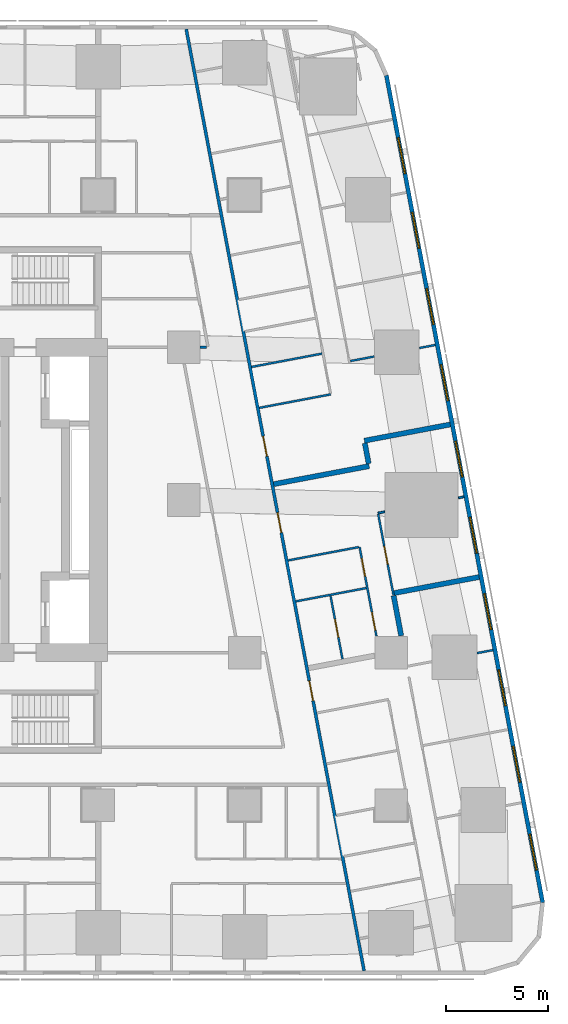
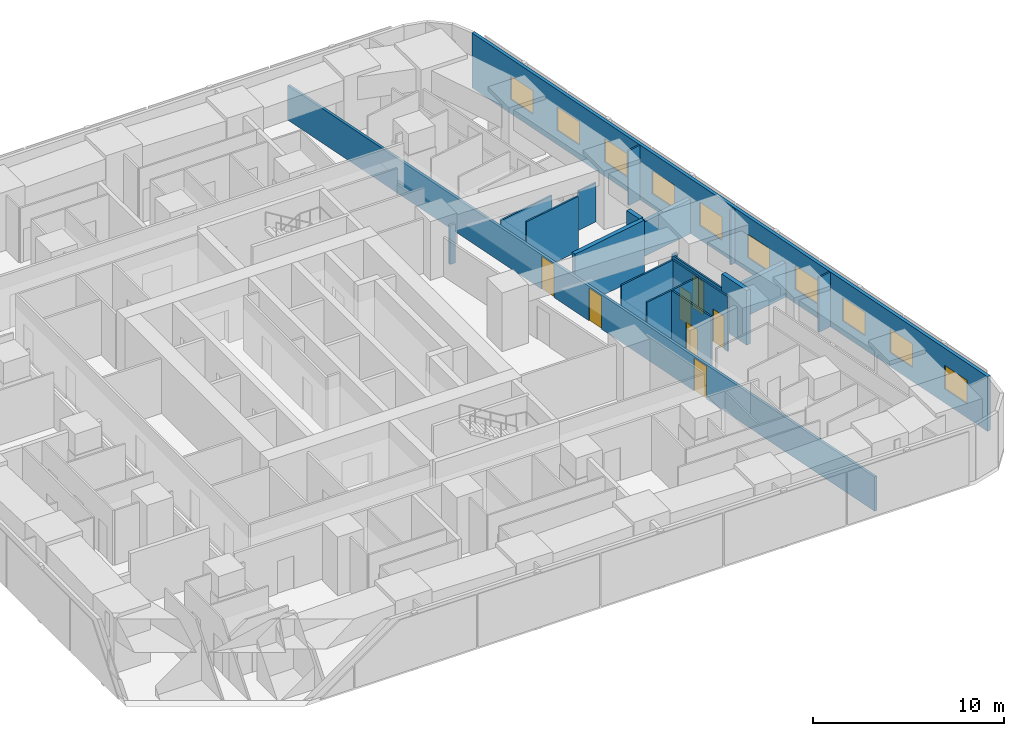
# One storey, part 8 of 17: 20 walls, 10 windows, 7 doors, 17 openings.
"""IFC4 building model written with IfcOpenShell, lengths in metres."""

import ifcopenshell
import ifcopenshell.guid

model = None  # the IFC model being written
_history = None  # IfcOwnerHistory: only IFC2X3 demands one
_inside = {}  # id of a spatial element -> (the spatial element, [elements in it])
_under = {}  # id of a project, library or spatial element -> (it, [spatial elements below it])
_declared = {}  # id of a project -> (the project, [libraries it declares])
_typed = {}  # id of a type object -> (the type object, [elements of that type])
_made_of = {}  # id of a material, layer set ... -> (it, [elements and type objects made of it])


def new_model(schema):
    """Start an empty IFC model of exactly this schema.

    Asked for "IFC4X3", IfcOpenShell would pick the latest addendum, in which some entities
    have other attributes; the version numbers below select the first issue.
    IFC2X3 requires an IfcOwnerHistory on every rooted entity: one is made here for all.
    """
    global model, _history
    if schema == "IFC4X3":
        model = ifcopenshell.file(schema_version=(4, 3, 0, 0))
    else:
        model = ifcopenshell.file(schema=schema)
    _inside.clear()
    _under.clear()
    _declared.clear()
    _typed.clear()
    _made_of.clear()
    _history = None
    if model.schema == "IFC2X3":
        org = make("IfcOrganization", Name="unknown")
        user = make(
            "IfcPersonAndOrganization",
            ThePerson=make("IfcPerson", FamilyName="unknown"),
            TheOrganization=org,
        )
        app = make(
            "IfcApplication",
            ApplicationDeveloper=org,
            Version="unknown",
            ApplicationFullName="unknown",
            ApplicationIdentifier="unknown",
        )
        _history = make(
            "IfcOwnerHistory",
            OwningUser=user,
            OwningApplication=app,
            ChangeAction="ADDED",
            CreationDate=0,
        )
    return model


def make(cls, **values):
    """One entity of the class cls with the attributes given. An attribute that is None is left unset."""
    return model.create_entity(
        cls, **{name: value for name, value in values.items() if value is not None}
    )


def rooted(cls, **values):
    """An entity with a GlobalId (a new one), such as an element, a storey or a relation."""
    return make(cls, GlobalId=ifcopenshell.guid.new(), OwnerHistory=_history, **values)


def si_unit(unit_type, name, prefix=None):
    """IfcSIUnit, for example si_unit("LENGTHUNIT", "METRE", prefix="MILLI")."""
    return make("IfcSIUnit", UnitType=unit_type, Prefix=prefix, Name=name)


def assignment(units):
    """IfcUnitAssignment: the units of a project."""
    return None if units is None else make("IfcUnitAssignment", Units=units)


def point(xyz):
    """IfcCartesianPoint."""
    return None if xyz is None else make("IfcCartesianPoint", Coordinates=xyz)


def direction(xyz):
    """IfcDirection."""
    return None if xyz is None else make("IfcDirection", DirectionRatios=xyz)


def frame(location, z_axis=None, x_axis=None):
    """IfcAxis2Placement3D, a coordinate frame: its origin and axes. An axis left out is left unset."""
    return make(
        "IfcAxis2Placement3D",
        Location=point(location),
        Axis=direction(z_axis),
        RefDirection=direction(x_axis),
    )


def frame_2d(location, x_axis=None):
    """IfcAxis2Placement2D, a coordinate frame in the plane: its origin and x axis."""
    return make(
        "IfcAxis2Placement2D", Location=point(location), RefDirection=direction(x_axis)
    )


def origin():
    """The frame at (0, 0, 0) with its axes left unset."""
    return frame((0.0, 0.0, 0.0))


def place(relative_to, where):
    """IfcLocalPlacement: puts the frame where relative to a parent placement (None: the world)."""
    return make(
        "IfcLocalPlacement", PlacementRelTo=relative_to, RelativePlacement=where
    )


def context(
    kind, dimensions, precision=None, world=None, true_north=None, identifier=None
):
    """IfcGeometricRepresentationContext, for example the 3D "Model" context."""
    return make(
        "IfcGeometricRepresentationContext",
        ContextIdentifier=identifier,
        ContextType=kind,
        CoordinateSpaceDimension=dimensions,
        Precision=precision,
        WorldCoordinateSystem=world,
        TrueNorth=true_north,
    )


def subcontext(parent, identifier, kind, view, scale=None):
    """IfcGeometricRepresentationSubContext, for example "Body" below "Model"."""
    return make(
        "IfcGeometricRepresentationSubContext",
        ContextIdentifier=identifier,
        ContextType=kind,
        ParentContext=parent,
        TargetScale=scale,
        TargetView=view,
    )


def project(units=None, contexts=None):
    """IfcProject with its units and contexts."""
    return rooted(
        "IfcProject",
        Name="project",
        RepresentationContexts=contexts,
        UnitsInContext=assignment(units),
    )


def spatial(cls, under=None, at=None, **own):
    """A site, building, storey or space (cls), placed at a placement, below another one or the project."""
    s = rooted(cls, ObjectPlacement=at, **own)
    if under is not None:
        _under.setdefault(under.id(), (under, []))[1].append(s)
    return s


def profile(cls, at=None, kind="AREA", **sizes):
    """A parametric profile (cls). Its sizes go by their IFC names, for example OverallWidth=200.0."""
    return make(cls, ProfileType=kind, Position=at, **sizes)


def rectangle(**sizes):
    """IfcRectangleProfileDef."""
    return profile("IfcRectangleProfileDef", **sizes)


def extrude(swept, where, along, depth):
    """IfcExtrudedAreaSolid: the profile swept, set in the frame where, extruded along a direction by depth."""
    return make(
        "IfcExtrudedAreaSolid",
        SweptArea=swept,
        Position=where,
        ExtrudedDirection=direction(along),
        Depth=depth,
    )


def shape(context_of_items, identifier, shape_type, items):
    """IfcShapeRepresentation: the items that make up one representation, for example the "Body"."""
    return make(
        "IfcShapeRepresentation",
        ContextOfItems=context_of_items,
        RepresentationIdentifier=identifier,
        RepresentationType=shape_type,
        Items=items,
    )


def material(Name=None, Category=None):
    """IfcMaterial."""
    return make("IfcMaterial", Name=Name, Category=Category)


def layer(
    of_material, thickness, ventilated=None, Name=None, Category=None, Priority=None
):
    """IfcMaterialLayer: one layer of a wall or slab, of a material (None: an air gap)."""
    return make(
        "IfcMaterialLayer",
        Material=of_material,
        LayerThickness=thickness,
        IsVentilated=ventilated,
        Name=Name,
        Category=Category,
        Priority=Priority,
    )


def layer_set(layers, Name=None):
    """IfcMaterialLayerSet."""
    return make("IfcMaterialLayerSet", MaterialLayers=layers, LayerSetName=Name)


def made_of(thing, what):
    """Note that an element or type object is made of a material, layer set ...; save() writes the relation."""
    if what is not None:
        _made_of.setdefault(what.id(), (what, []))[1].append(thing)
    return thing


def type_object(cls, material=None, **own):
    """A type object (cls), such as IfcWallType, which elements share."""
    return made_of(rooted(cls, **own), material)


def element(
    cls,
    number,
    at=None,
    inside=None,
    cuts=None,
    type_object=None,
    material=None,
    context=None,
    identifier="Body",
    shape_type=None,
    held_by="IfcProductDefinitionShape",
    body=None,
    shapes=None,
    **own,
):
    """One element of the class cls, such as IfcWall. Its Tag is "e" and its number.

    at: its placement. inside: the storey or other place that contains it. cuts: it is an
    opening in that element (IfcRelVoidsElement). A single representation is given by context,
    identifier, shape_type and body (its items); several are given by shapes. held_by: the class
    of the entity that holds the representations. save() writes the other relations.
    """
    e = rooted(cls, Tag="e%d" % number, ObjectPlacement=at, **own)
    if body is not None:
        shapes = [shape(context, identifier, shape_type, body)]
    if shapes is not None:
        e.Representation = make(held_by, Representations=shapes)
    if inside is not None:
        _inside.setdefault(inside.id(), (inside, []))[1].append(e)
    if cuts is not None:
        rooted(
            "IfcRelVoidsElement", RelatingBuildingElement=cuts, RelatedOpeningElement=e
        )
    if type_object is not None:
        _typed.setdefault(type_object.id(), (type_object, []))[1].append(e)
    return made_of(e, material)


def fill(opening, filler):
    """IfcRelFillsElement: the door or window that sits in an opening."""
    return rooted(
        "IfcRelFillsElement",
        RelatingOpeningElement=opening,
        RelatedBuildingElement=filler,
    )


def aggregate(whole, parts):
    """IfcRelAggregates: a whole, such as a stair, and the parts it consists of."""
    return rooted("IfcRelAggregates", RelatingObject=whole, RelatedObjects=parts)


def save(model, path):
    """Write the relations noted so far, then the file.

    IfcRelAggregates (storeys below a building ...), IfcRelContainedInSpatialStructure (elements
    in a storey), IfcRelDefinesByType, IfcRelAssociatesMaterial and IfcRelDeclares: one each for
    every whole, place, type object, material and project.
    """
    for whole, parts in _under.values():
        aggregate(whole, parts)
    for where, things in _inside.values():
        rooted(
            "IfcRelContainedInSpatialStructure",
            RelatedElements=things,
            RelatingStructure=where,
        )
    for kind, things in _typed.values():
        rooted("IfcRelDefinesByType", RelatedObjects=things, RelatingType=kind)
    for what, things in _made_of.values():
        rooted("IfcRelAssociatesMaterial", RelatedObjects=things, RelatingMaterial=what)
    for by, libraries in _declared.values():
        rooted("IfcRelDeclares", RelatingContext=by, RelatedDefinitions=libraries)
    model.write(path)


model = new_model("IFC4")

# Units and contexts
model_context = context("Model", 3, precision=1e-05, world=origin(), true_north=direction((0.0, 1.0)))
body_context = subcontext(model_context, "Body", "Model", "MODEL_VIEW")
ifc_project = project(units=[si_unit("LENGTHUNIT", "METRE"), si_unit("AREAUNIT", "SQUARE_METRE"), si_unit("VOLUMEUNIT", "CUBIC_METRE"), si_unit("PLANEANGLEUNIT", "RADIAN"), si_unit("MASSUNIT", "GRAM", prefix="KILO")], contexts=[model_context])

# Site, building, storey
site_placement = place(None, origin())
site = spatial("IfcSite", under=ifc_project, at=site_placement, CompositionType="ELEMENT")
building_placement = place(site_placement, origin())
building = spatial("IfcBuilding", under=site, at=building_placement, Name="Sheger Commons Tower", CompositionType="ELEMENT")
storey_placement = place(building_placement, frame((0.0, 0.0, 115.39990234375)))
storey = spatial("IfcBuildingStorey", under=building, at=storey_placement, Name="L29", CompositionType="ELEMENT", Elevation=115.39990234375)

# Wall, openings, doors
ifc_material_1 = material(Name="Hollow concrete block masonry, skimmed both sides", Category="masonry")
ifc_layer_1 = layer(ifc_material_1, 0.14990234375)
ifc_layer_set_1 = layer_set([ifc_layer_1], Name="CORRIDOR WALL 150")
wall_type_1 = type_object("IfcWallType", Name="CORRIDOR WALL 150", PredefinedType="SOLIDWALL", material=ifc_layer_set_1)
wall_1_placement = place(storey_placement, frame((33.126953125, 45.64990234375, 0.0), z_axis=(0.0, 0.0, 1.0), x_axis=(0.185598547723, -0.98262565562, 0.0)))
wall_1 = element("IfcWall", 1, at=wall_1_placement, inside=storey, type_object=wall_type_1, Name="Corridor wall L29", PredefinedType="SOLIDWALL", context=body_context, shape_type="SweptSolid", body=[
    extrude(rectangle(XDim=47.118408203125, YDim=0.14990234375, at=frame_2d((23.55908203125, 0.0))), origin(), (0.0, 0.0, 1.0), 2.2001953125),
])
opening_1_placement = place(wall_1_placement, frame((20.373046875, 0.0, 0.0)))
opening_1 = element("IfcOpeningElement", 2, at=opening_1_placement, cuts=wall_1, Name="Opening D1", PredefinedType="OPENING", context=body_context, shape_type="SweptSolid", body=[
    extrude(rectangle(XDim=1.0, YDim=2.10009765625, at=frame_2d((0.5, 1.050048828125))), frame((0.0, 0.0849609375, 0.0), z_axis=(0.0, -1.0, 0.0), x_axis=(1.0, 0.0, 0.0)), (0.0, 0.0, 1.0), 0.169921875),
])
opening_2_placement = place(wall_1_placement, frame((24.18798828125, 0.0, 0.0)))
opening_2 = element("IfcOpeningElement", 3, at=opening_2_placement, cuts=wall_1, Name="Opening D1", PredefinedType="OPENING", context=body_context, shape_type="SweptSolid", body=[
    extrude(rectangle(XDim=1.0, YDim=2.10009765625, at=frame_2d((0.5, 1.050048828125))), frame((0.0, 0.0849609375, 0.0), z_axis=(0.0, -1.0, 0.0), x_axis=(1.0, 0.0, 0.0)), (0.0, 0.0, 1.0), 0.169921875),
])
opening_3_placement = place(wall_1_placement, frame((32.60791015625, 0.0, 0.0)))
opening_3 = element("IfcOpeningElement", 4, at=opening_3_placement, cuts=wall_1, Name="Opening D1", PredefinedType="OPENING", context=body_context, shape_type="SweptSolid", body=[
    extrude(rectangle(XDim=1.0, YDim=2.10009765625, at=frame_2d((0.5, 1.050048828125))), frame((0.0, 0.0849609375, 0.0), z_axis=(0.0, -1.0, 0.0), x_axis=(1.0, 0.0, 0.0)), (0.0, 0.0, 1.0), 0.169921875),
])
ifc_material_2 = material(Name="Steel door set, fire rated", Category="steel")
door_type_1 = type_object("IfcDoorType", Name="FLAT ENTRANCE DOOR 1000x2100", OperationType="NOTDEFINED", PredefinedType="DOOR", material=ifc_material_2)
door_1_placement = place(opening_1_placement, origin())
door_1 = element("IfcDoor", 5, at=door_1_placement, inside=storey, type_object=door_type_1, Name="Flat entrance door", OperationType="SINGLE_SWING_RIGHT", OverallHeight=2.10009765625, OverallWidth=1.0, PredefinedType="DOOR", context=body_context, shape_type="SweptSolid", body=[
    extrude(rectangle(XDim=1.0, YDim=2.10009765625, at=frame_2d((0.5, 1.050048828125))), frame((0.0, 0.02490234375, 0.0), z_axis=(0.0, -1.0, 0.0), x_axis=(1.0, 0.0, 0.0)), (0.0, 0.0, 1.0), 0.050048828125),
])
fill(opening_1, door_1)
door_2_placement = place(opening_2_placement, origin())
door_2 = element("IfcDoor", 6, at=door_2_placement, inside=storey, type_object=door_type_1, Name="Flat entrance door", OperationType="SINGLE_SWING_LEFT", OverallHeight=2.10009765625, OverallWidth=1.0, PredefinedType="DOOR", context=body_context, shape_type="SweptSolid", body=[
    extrude(rectangle(XDim=1.0, YDim=2.10009765625, at=frame_2d((0.5, 1.050048828125))), frame((0.0, 0.02490234375, 0.0), z_axis=(0.0, -1.0, 0.0), x_axis=(1.0, 0.0, 0.0)), (0.0, 0.0, 1.0), 0.050048828125),
])
fill(opening_2, door_2)
door_3_placement = place(opening_3_placement, origin())
door_3 = element("IfcDoor", 7, at=door_3_placement, inside=storey, type_object=door_type_1, Name="Flat entrance door", OperationType="SINGLE_SWING_RIGHT", OverallHeight=2.10009765625, OverallWidth=1.0, PredefinedType="DOOR", context=body_context, shape_type="SweptSolid", body=[
    extrude(rectangle(XDim=1.0, YDim=2.10009765625, at=frame_2d((0.5, 1.050048828125))), frame((0.0, 0.02490234375, 0.0), z_axis=(0.0, -1.0, 0.0), x_axis=(1.0, 0.0, 0.0)), (0.0, 0.0, 1.0), 0.050048828125),
])
fill(opening_3, door_3)

# Walls
ifc_material_3 = material(Name="Dense concrete block masonry, plastered both sides (separating wall between flats)", Category="masonry")
ifc_layer_2 = layer(ifc_material_3, 0.25)
ifc_layer_set_2 = layer_set([ifc_layer_2], Name="DEMISING WALL 250")
wall_type_2 = type_object("IfcWallType", Name="DEMISING WALL 250", PredefinedType="SOLIDWALL", material=ifc_layer_set_2)
wall_2_placement = place(storey_placement, frame((46.110107421875, 26.212890625, 0.0), z_axis=(0.0, 0.0, 1.0), x_axis=(-0.982633535512, -0.185556823879, 0.0)))
element("IfcWall", 8, at=wall_2_placement, inside=storey, type_object=wall_type_2, Name="Demising wall L29", PredefinedType="SOLIDWALL", context=body_context, shape_type="SweptSolid", body=[
    extrude(rectangle(XDim=4.2998046875, YDim=0.25, at=frame_2d((2.14990234375, 0.0))), origin(), (0.0, 0.0, 1.0), 2.2001953125),
])
wall_3_placement = place(storey_placement, frame((42.12109375, 24.166015625, 0.0), z_axis=(0.0, 0.0, 1.0), x_axis=(-0.98259850169, -0.185742252804, 0.0)))
element("IfcWall", 9, at=wall_3_placement, inside=storey, type_object=wall_type_2, Name="Demising wall L29", PredefinedType="SOLIDWALL", context=body_context, shape_type="SweptSolid", body=[
    extrude(rectangle(XDim=4.775146484375, YDim=0.25, at=frame_2d((2.3876953125, 0.0))), origin(), (0.0, 0.0, 1.0), 3.5),
])
wall_4_placement = place(storey_placement, frame((41.907958984375, 25.2919921875, 0.0), z_axis=(0.0, 0.0, 1.0), x_axis=(0.18607888991, -0.982534806879, 0.0)))
element("IfcWall", 10, at=wall_4_placement, inside=storey, type_object=wall_type_2, Name="Demising wall L29", PredefinedType="SOLIDWALL", context=body_context, shape_type="SweptSolid", body=[
    extrude(rectangle(XDim=1.020751953125, YDim=0.25, at=frame_2d((0.51025390625, 0.0))), origin(), (0.0, 0.0, 1.0), 3.5),
])
wall_5_placement = place(storey_placement, frame((47.527099609375, 18.7119140625, 0.0), z_axis=(0.0, 0.0, 1.0), x_axis=(-0.982665405803, -0.185387972203, 0.0)))
element("IfcWall", 11, at=wall_5_placement, inside=storey, type_object=wall_type_2, Name="Demising wall L29", PredefinedType="SOLIDWALL", context=body_context, shape_type="SweptSolid", body=[
    extrude(rectangle(XDim=4.249755859375, YDim=0.25, at=frame_2d((2.125, 0.0))), origin(), (0.0, 0.0, 1.0), 2.2001953125),
])
wall_6_placement = place(storey_placement, frame((43.324951171875, 17.7919921875, 0.0), z_axis=(0.0, 0.0, 1.0), x_axis=(0.185296805985, -0.982682600686, 0.0)))
element("IfcWall", 12, at=wall_6_placement, inside=storey, type_object=wall_type_2, Name="Demising wall L29", PredefinedType="SOLIDWALL", context=body_context, shape_type="SweptSolid", body=[
    extrude(rectangle(XDim=2.002685546875, YDim=0.25, at=frame_2d((1.00146484375, 0.0))), origin(), (0.0, 0.0, 1.0), 3.5),
])

# Wall, openings, windows
ifc_material_4 = material(Name="Rendered concrete block masonry, dark grey", Category="masonry")
ifc_layer_3 = layer(ifc_material_4, 0.199951171875)
ifc_layer_set_3 = layer_set([ifc_layer_3], Name="FACADE WALL 200")
wall_type_3 = type_object("IfcWallType", Name="FACADE WALL 200", PredefinedType="SOLIDWALL", material=ifc_layer_set_3)
wall_7_placement = place(storey_placement, frame((50.653076171875, 2.702880859375, 0.0), z_axis=(0.0, 0.0, 1.0), x_axis=(-0.185612026696, 0.982623109613, 0.0)))
wall_7 = element("IfcWall", 13, at=wall_7_placement, inside=storey, type_object=wall_type_3, Name="Facade wall L29", PredefinedType="SOLIDWALL", context=body_context, shape_type="SweptSolid", body=[
    extrude(rectangle(XDim=41.393310546875, YDim=0.199951171875, at=frame_2d((20.69677734375, 0.0))), origin(), (0.0, 0.0, 1.0), 3.5),
])
opening_4_placement = place(wall_7_placement, frame((1.633056640625, 0.0, 0.89990234375)))
opening_4 = element("IfcOpeningElement", 14, at=opening_4_placement, cuts=wall_7, Name="Opening W2", PredefinedType="OPENING", context=body_context, shape_type="SweptSolid", body=[
    extrude(rectangle(XDim=1.800048828125, YDim=1.5, at=frame_2d((0.89990234375, 0.75))), frame((0.0, 0.10986328125, 0.0), z_axis=(0.0, -1.0, 0.0), x_axis=(1.0, 0.0, 0.0)), (0.0, 0.0, 1.0), 0.219970703125),
])
opening_5_placement = place(wall_7_placement, frame((6.031982421875, 0.0, 0.89990234375)))
opening_5 = element("IfcOpeningElement", 15, at=opening_5_placement, cuts=wall_7, Name="Opening W2", PredefinedType="OPENING", context=body_context, shape_type="SweptSolid", body=[
    extrude(rectangle(XDim=1.800048828125, YDim=1.5, at=frame_2d((0.89990234375, 0.75))), frame((0.0, 0.10986328125, 0.0), z_axis=(0.0, -1.0, 0.0), x_axis=(1.0, 0.0, 0.0)), (0.0, 0.0, 1.0), 0.219970703125),
])
opening_6_placement = place(wall_7_placement, frame((9.847900390625, 0.0, 0.89990234375)))
opening_6 = element("IfcOpeningElement", 16, at=opening_6_placement, cuts=wall_7, Name="Opening W2", PredefinedType="OPENING", context=body_context, shape_type="SweptSolid", body=[
    extrude(rectangle(XDim=1.800048828125, YDim=1.5, at=frame_2d((0.89990234375, 0.75))), frame((0.0, 0.10986328125, 0.0), z_axis=(0.0, -1.0, 0.0), x_axis=(1.0, 0.0, 0.0)), (0.0, 0.0, 1.0), 0.219970703125),
])
opening_7_placement = place(wall_7_placement, frame((13.6640625, 0.0, 0.89990234375)))
opening_7 = element("IfcOpeningElement", 17, at=opening_7_placement, cuts=wall_7, Name="Opening W2", PredefinedType="OPENING", context=body_context, shape_type="SweptSolid", body=[
    extrude(rectangle(XDim=1.800048828125, YDim=1.5, at=frame_2d((0.89990234375, 0.75))), frame((0.0, 0.10986328125, 0.0), z_axis=(0.0, -1.0, 0.0), x_axis=(1.0, 0.0, 0.0)), (0.0, 0.0, 1.0), 0.219970703125),
])
opening_8_placement = place(wall_7_placement, frame((17.48095703125, 0.0, 0.89990234375)))
opening_8 = element("IfcOpeningElement", 18, at=opening_8_placement, cuts=wall_7, Name="Opening W2", PredefinedType="OPENING", context=body_context, shape_type="SweptSolid", body=[
    extrude(rectangle(XDim=1.800048828125, YDim=1.5, at=frame_2d((0.89990234375, 0.75))), frame((0.0, 0.10986328125, 0.0), z_axis=(0.0, -1.0, 0.0), x_axis=(1.0, 0.0, 0.0)), (0.0, 0.0, 1.0), 0.219970703125),
])
opening_9_placement = place(wall_7_placement, frame((21.297119140625, 0.0, 0.89990234375)))
opening_9 = element("IfcOpeningElement", 19, at=opening_9_placement, cuts=wall_7, Name="Opening W2", PredefinedType="OPENING", context=body_context, shape_type="SweptSolid", body=[
    extrude(rectangle(XDim=1.800048828125, YDim=1.5, at=frame_2d((0.89990234375, 0.75))), frame((0.0, 0.10986328125, 0.0), z_axis=(0.0, -1.0, 0.0), x_axis=(1.0, 0.0, 0.0)), (0.0, 0.0, 1.0), 0.219970703125),
])
opening_10_placement = place(wall_7_placement, frame((25.113037109375, 0.0, 0.89990234375)))
opening_10 = element("IfcOpeningElement", 20, at=opening_10_placement, cuts=wall_7, Name="Opening W2", PredefinedType="OPENING", context=body_context, shape_type="SweptSolid", body=[
    extrude(rectangle(XDim=1.800048828125, YDim=1.5, at=frame_2d((0.89990234375, 0.75))), frame((0.0, 0.10986328125, 0.0), z_axis=(0.0, -1.0, 0.0), x_axis=(1.0, 0.0, 0.0)), (0.0, 0.0, 1.0), 0.219970703125),
])
opening_11_placement = place(wall_7_placement, frame((28.929931640625, 0.0, 0.89990234375)))
opening_11 = element("IfcOpeningElement", 21, at=opening_11_placement, cuts=wall_7, Name="Opening W2", PredefinedType="OPENING", context=body_context, shape_type="SweptSolid", body=[
    extrude(rectangle(XDim=1.800048828125, YDim=1.5, at=frame_2d((0.89990234375, 0.75))), frame((0.0, 0.10986328125, 0.0), z_axis=(0.0, -1.0, 0.0), x_axis=(1.0, 0.0, 0.0)), (0.0, 0.0, 1.0), 0.219970703125),
])
opening_12_placement = place(wall_7_placement, frame((32.74609375, 0.0, 0.89990234375)))
opening_12 = element("IfcOpeningElement", 22, at=opening_12_placement, cuts=wall_7, Name="Opening W2", PredefinedType="OPENING", context=body_context, shape_type="SweptSolid", body=[
    extrude(rectangle(XDim=1.800048828125, YDim=1.5, at=frame_2d((0.89990234375, 0.75))), frame((0.0, 0.10986328125, 0.0), z_axis=(0.0, -1.0, 0.0), x_axis=(1.0, 0.0, 0.0)), (0.0, 0.0, 1.0), 0.219970703125),
])
opening_13_placement = place(wall_7_placement, frame((36.48095703125, 0.0, 0.89990234375)))
opening_13 = element("IfcOpeningElement", 23, at=opening_13_placement, cuts=wall_7, Name="Opening W2", PredefinedType="OPENING", context=body_context, shape_type="SweptSolid", body=[
    extrude(rectangle(XDim=1.800048828125, YDim=1.5, at=frame_2d((0.89990234375, 0.75))), frame((0.0, 0.10986328125, 0.0), z_axis=(0.0, -1.0, 0.0), x_axis=(1.0, 0.0, 0.0)), (0.0, 0.0, 1.0), 0.219970703125),
])
ifc_material_5 = material(Name="Black aluminium frame, dark tinted double glazing", Category="aluminium")
window_type = type_object("IfcWindowType", Name="WINDOW W2 1800x1500", PartitioningType="SINGLE_PANEL", PredefinedType="WINDOW", material=ifc_material_5)
window_1_placement = place(opening_4_placement, origin())
window_1 = element("IfcWindow", 24, at=window_1_placement, inside=storey, type_object=window_type, Name="Window W2 1800X1500", OverallHeight=1.5, OverallWidth=1.800048828125, PartitioningType="SINGLE_PANEL", PredefinedType="WINDOW", context=body_context, shape_type="SweptSolid", body=[
    extrude(rectangle(XDim=1.800048828125, YDim=1.5, at=frame_2d((0.89990234375, 0.75))), frame((0.0, 0.030029296875, 0.0), z_axis=(0.0, -1.0, 0.0), x_axis=(1.0, 0.0, 0.0)), (0.0, 0.0, 1.0), 0.06005859375),
])
fill(opening_4, window_1)
window_2_placement = place(opening_5_placement, origin())
window_2 = element("IfcWindow", 25, at=window_2_placement, inside=storey, type_object=window_type, Name="Window W2 1800X1500", OverallHeight=1.5, OverallWidth=1.800048828125, PartitioningType="SINGLE_PANEL", PredefinedType="WINDOW", context=body_context, shape_type="SweptSolid", body=[
    extrude(rectangle(XDim=1.800048828125, YDim=1.5, at=frame_2d((0.89990234375, 0.75))), frame((0.0, 0.030029296875, 0.0), z_axis=(0.0, -1.0, 0.0), x_axis=(1.0, 0.0, 0.0)), (0.0, 0.0, 1.0), 0.06005859375),
])
fill(opening_5, window_2)
window_3_placement = place(opening_6_placement, origin())
window_3 = element("IfcWindow", 26, at=window_3_placement, inside=storey, type_object=window_type, Name="Window W2 1800X1500", OverallHeight=1.5, OverallWidth=1.800048828125, PartitioningType="SINGLE_PANEL", PredefinedType="WINDOW", context=body_context, shape_type="SweptSolid", body=[
    extrude(rectangle(XDim=1.800048828125, YDim=1.5, at=frame_2d((0.89990234375, 0.75))), frame((0.0, 0.030029296875, 0.0), z_axis=(0.0, -1.0, 0.0), x_axis=(1.0, 0.0, 0.0)), (0.0, 0.0, 1.0), 0.06005859375),
])
fill(opening_6, window_3)
window_4_placement = place(opening_7_placement, origin())
window_4 = element("IfcWindow", 27, at=window_4_placement, inside=storey, type_object=window_type, Name="Window W2 1800X1500", OverallHeight=1.5, OverallWidth=1.800048828125, PartitioningType="SINGLE_PANEL", PredefinedType="WINDOW", context=body_context, shape_type="SweptSolid", body=[
    extrude(rectangle(XDim=1.800048828125, YDim=1.5, at=frame_2d((0.89990234375, 0.75))), frame((0.0, 0.030029296875, 0.0), z_axis=(0.0, -1.0, 0.0), x_axis=(1.0, 0.0, 0.0)), (0.0, 0.0, 1.0), 0.06005859375),
])
fill(opening_7, window_4)
window_5_placement = place(opening_8_placement, origin())
window_5 = element("IfcWindow", 28, at=window_5_placement, inside=storey, type_object=window_type, Name="Window W2 1800X1500", OverallHeight=1.5, OverallWidth=1.800048828125, PartitioningType="SINGLE_PANEL", PredefinedType="WINDOW", context=body_context, shape_type="SweptSolid", body=[
    extrude(rectangle(XDim=1.800048828125, YDim=1.5, at=frame_2d((0.89990234375, 0.75))), frame((0.0, 0.030029296875, 0.0), z_axis=(0.0, -1.0, 0.0), x_axis=(1.0, 0.0, 0.0)), (0.0, 0.0, 1.0), 0.06005859375),
])
fill(opening_8, window_5)
window_6_placement = place(opening_9_placement, origin())
window_6 = element("IfcWindow", 29, at=window_6_placement, inside=storey, type_object=window_type, Name="Window W2 1800X1500", OverallHeight=1.5, OverallWidth=1.800048828125, PartitioningType="SINGLE_PANEL", PredefinedType="WINDOW", context=body_context, shape_type="SweptSolid", body=[
    extrude(rectangle(XDim=1.800048828125, YDim=1.5, at=frame_2d((0.89990234375, 0.75))), frame((0.0, 0.030029296875, 0.0), z_axis=(0.0, -1.0, 0.0), x_axis=(1.0, 0.0, 0.0)), (0.0, 0.0, 1.0), 0.06005859375),
])
fill(opening_9, window_6)
window_7_placement = place(opening_10_placement, origin())
window_7 = element("IfcWindow", 30, at=window_7_placement, inside=storey, type_object=window_type, Name="Window W2 1800X1500", OverallHeight=1.5, OverallWidth=1.800048828125, PartitioningType="SINGLE_PANEL", PredefinedType="WINDOW", context=body_context, shape_type="SweptSolid", body=[
    extrude(rectangle(XDim=1.800048828125, YDim=1.5, at=frame_2d((0.89990234375, 0.75))), frame((0.0, 0.030029296875, 0.0), z_axis=(0.0, -1.0, 0.0), x_axis=(1.0, 0.0, 0.0)), (0.0, 0.0, 1.0), 0.06005859375),
])
fill(opening_10, window_7)
window_8_placement = place(opening_11_placement, origin())
window_8 = element("IfcWindow", 31, at=window_8_placement, inside=storey, type_object=window_type, Name="Window W2 1800X1500", OverallHeight=1.5, OverallWidth=1.800048828125, PartitioningType="SINGLE_PANEL", PredefinedType="WINDOW", context=body_context, shape_type="SweptSolid", body=[
    extrude(rectangle(XDim=1.800048828125, YDim=1.5, at=frame_2d((0.89990234375, 0.75))), frame((0.0, 0.030029296875, 0.0), z_axis=(0.0, -1.0, 0.0), x_axis=(1.0, 0.0, 0.0)), (0.0, 0.0, 1.0), 0.06005859375),
])
fill(opening_11, window_8)
window_9_placement = place(opening_12_placement, origin())
window_9 = element("IfcWindow", 32, at=window_9_placement, inside=storey, type_object=window_type, Name="Window W2 1800X1500", OverallHeight=1.5, OverallWidth=1.800048828125, PartitioningType="SINGLE_PANEL", PredefinedType="WINDOW", context=body_context, shape_type="SweptSolid", body=[
    extrude(rectangle(XDim=1.800048828125, YDim=1.5, at=frame_2d((0.89990234375, 0.75))), frame((0.0, 0.030029296875, 0.0), z_axis=(0.0, -1.0, 0.0), x_axis=(1.0, 0.0, 0.0)), (0.0, 0.0, 1.0), 0.06005859375),
])
fill(opening_12, window_9)
window_10_placement = place(opening_13_placement, origin())
window_10 = element("IfcWindow", 33, at=window_10_placement, inside=storey, type_object=window_type, Name="Window W2 1800X1500", OverallHeight=1.5, OverallWidth=1.800048828125, PartitioningType="SINGLE_PANEL", PredefinedType="WINDOW", context=body_context, shape_type="SweptSolid", body=[
    extrude(rectangle(XDim=1.800048828125, YDim=1.5, at=frame_2d((0.89990234375, 0.75))), frame((0.0, 0.030029296875, 0.0), z_axis=(0.0, -1.0, 0.0), x_axis=(1.0, 0.0, 0.0)), (0.0, 0.0, 1.0), 0.06005859375),
])
fill(opening_13, window_10)

# Walls
ifc_material_6 = material(Name="Gypsum board on steel studs", Category="steel")
ifc_layer_4 = layer(ifc_material_6, 0.10009765625)
ifc_layer_set_4 = layer_set([ifc_layer_4], Name="PARTITION 100")
wall_type_4 = type_object("IfcWallType", Name="PARTITION 100", PredefinedType="PARTITIONING", material=ifc_layer_set_4)
wall_8_placement = place(storey_placement, frame((45.3720703125, 30.12109375, 0.0), z_axis=(0.0, 0.0, 1.0), x_axis=(-0.982512656401, -0.186195810938, 0.0)))
element("IfcWall", 34, at=wall_8_placement, inside=storey, type_object=wall_type_4, Name="Partition L29", PredefinedType="PARTITIONING", context=body_context, shape_type="SweptSolid", body=[
    extrude(rectangle(XDim=0.7958984375, YDim=0.10009765625, at=frame_2d((0.39794921875, 0.0))), origin(), (0.0, 0.0, 1.0), 3.5),
])
wall_9_placement = place(storey_placement, frame((42.3701171875, 29.553955078125, 0.0), z_axis=(0.0, 0.0, 1.0), x_axis=(-0.982600492424, -0.185731721275, 0.0)))
element("IfcWall", 35, at=wall_9_placement, inside=storey, type_object=wall_type_4, Name="Partition L29", PredefinedType="PARTITIONING", context=body_context, shape_type="SweptSolid", body=[
    extrude(rectangle(XDim=1.19482421875, YDim=0.10009765625, at=frame_2d((0.597412109375, 0.0))), origin(), (0.0, 0.0, 1.0), 2.5),
])
wall_10_placement = place(storey_placement, frame((40.23291015625, 27.693115234375, 0.0), z_axis=(0.0, 0.0, 1.0), x_axis=(-0.982598214409, -0.185743772548, 0.0)))
element("IfcWall", 36, at=wall_10_placement, inside=storey, type_object=wall_type_4, Name="Partition L29", PredefinedType="PARTITIONING", context=body_context, shape_type="SweptSolid", body=[
    extrude(rectangle(XDim=3.5751953125, YDim=0.10009765625, at=frame_2d((1.78759765625, 0.0))), origin(), (0.0, 0.0, 1.0), 3.5),
])
wall_11_placement = place(storey_placement, frame((39.802978515625, 29.697998046875, 0.0), z_axis=(0.0, 0.0, 1.0), x_axis=(-0.982576058723, -0.185860939478, 0.0)))
element("IfcWall", 37, at=wall_11_placement, inside=storey, type_object=wall_type_4, Name="Partition L29", PredefinedType="PARTITIONING", context=body_context, shape_type="SweptSolid", body=[
    extrude(rectangle(XDim=3.5244140625, YDim=0.10009765625, at=frame_2d((1.76220703125, 0.0))), origin(), (0.0, 0.0, 1.0), 2.5),
])

# Wall, opening, door
wall_12_placement = place(storey_placement, frame((42.56494140625, 21.80908203125, 0.0), z_axis=(0.0, 0.0, 1.0), x_axis=(0.185910488551, -0.982566684885, 0.0)))
wall_12 = element("IfcWall", 38, at=wall_12_placement, inside=storey, type_object=wall_type_4, Name="Partition L29", PredefinedType="PARTITIONING", context=body_context, shape_type="SweptSolid", body=[
    extrude(rectangle(XDim=4.061767578125, YDim=0.10009765625, at=frame_2d((2.03076171875, 0.0))), origin(), (0.0, 0.0, 1.0), 2.5),
])
opening_14_placement = place(wall_12_placement, frame((1.617919921875, 0.0, 0.0)))
opening_14 = element("IfcOpeningElement", 39, at=opening_14_placement, cuts=wall_12, Name="Opening D2", PredefinedType="OPENING", context=body_context, shape_type="SweptSolid", body=[
    extrude(rectangle(XDim=0.89990234375, YDim=2.10009765625, at=frame_2d((0.449951171875, 1.050048828125))), frame((0.0, 0.06005859375, 0.0), z_axis=(0.0, -1.0, 0.0), x_axis=(1.0, 0.0, 0.0)), (0.0, 0.0, 1.0), 0.1201171875),
])
ifc_material_7 = material(Name="Timber door set", Category="wood")
door_type_2 = type_object("IfcDoorType", Name="INTERNAL DOOR 900x2100", OperationType="NOTDEFINED", PredefinedType="DOOR", material=ifc_material_7)
door_4_placement = place(opening_14_placement, origin())
door_4 = element("IfcDoor", 40, at=door_4_placement, inside=storey, type_object=door_type_2, Name="Main bedroom door", OperationType="SINGLE_SWING_RIGHT", OverallHeight=2.10009765625, OverallWidth=0.89990234375, PredefinedType="DOOR", context=body_context, shape_type="SweptSolid", body=[
    extrude(rectangle(XDim=0.89990234375, YDim=2.10009765625, at=frame_2d((0.449951171875, 1.050048828125))), frame((0.0, 0.02490234375, 0.0), z_axis=(0.0, -1.0, 0.0), x_axis=(1.0, 0.0, 0.0)), (0.0, 0.0, 1.0), 0.050048828125),
])
fill(opening_14, door_4)

# Wall, openings, doors
wall_13_placement = place(storey_placement, frame((41.64990234375, 20.193115234375, 0.0), z_axis=(0.0, 0.0, 1.0), x_axis=(0.18565316258, -0.982615338382, 0.0)))
wall_13 = element("IfcWall", 41, at=wall_13_placement, inside=storey, type_object=wall_type_4, Name="Partition L29", PredefinedType="PARTITIONING", context=body_context, shape_type="SweptSolid", body=[
    extrude(rectangle(XDim=4.460693359375, YDim=0.10009765625, at=frame_2d((2.23046875, 0.0))), origin(), (0.0, 0.0, 1.0), 3.5),
])
opening_15_placement = place(wall_13_placement, frame((0.574951171875, 0.0, 0.0)))
opening_15 = element("IfcOpeningElement", 42, at=opening_15_placement, cuts=wall_13, Name="Opening D2", PredefinedType="OPENING", context=body_context, shape_type="SweptSolid", body=[
    extrude(rectangle(XDim=0.89990234375, YDim=2.10009765625, at=frame_2d((0.449951171875, 1.050048828125))), frame((0.0, 0.06005859375, 0.0), z_axis=(0.0, -1.0, 0.0), x_axis=(1.0, 0.0, 0.0)), (0.0, 0.0, 1.0), 0.1201171875),
])
opening_16_placement = place(wall_13_placement, frame((3.27099609375, 0.0, 0.0)))
opening_16 = element("IfcOpeningElement", 43, at=opening_16_placement, cuts=wall_13, Name="Opening D2", PredefinedType="OPENING", context=body_context, shape_type="SweptSolid", body=[
    extrude(rectangle(XDim=0.89990234375, YDim=2.10009765625, at=frame_2d((0.449951171875, 1.050048828125))), frame((0.0, 0.06005859375, 0.0), z_axis=(0.0, -1.0, 0.0), x_axis=(1.0, 0.0, 0.0)), (0.0, 0.0, 1.0), 0.1201171875),
])
door_5_placement = place(opening_15_placement, origin())
door_5 = element("IfcDoor", 44, at=door_5_placement, inside=storey, type_object=door_type_2, Name="Bathroom door", OperationType="SINGLE_SWING_RIGHT", OverallHeight=2.10009765625, OverallWidth=0.89990234375, PredefinedType="DOOR", context=body_context, shape_type="SweptSolid", body=[
    extrude(rectangle(XDim=0.89990234375, YDim=2.10009765625, at=frame_2d((0.449951171875, 1.050048828125))), frame((0.0, 0.02490234375, 0.0), z_axis=(0.0, -1.0, 0.0), x_axis=(1.0, 0.0, 0.0)), (0.0, 0.0, 1.0), 0.050048828125),
])
fill(opening_15, door_5)
door_6_placement = place(opening_16_placement, origin())
door_6 = element("IfcDoor", 45, at=door_6_placement, inside=storey, type_object=door_type_2, Name="Store door", OperationType="SINGLE_SWING_LEFT", OverallHeight=2.10009765625, OverallWidth=0.89990234375, PredefinedType="DOOR", context=body_context, shape_type="SweptSolid", body=[
    extrude(rectangle(XDim=0.89990234375, YDim=2.10009765625, at=frame_2d((0.449951171875, 1.050048828125))), frame((0.0, 0.02490234375, 0.0), z_axis=(0.0, -1.0, 0.0), x_axis=(1.0, 0.0, 0.0)), (0.0, 0.0, 1.0), 0.050048828125),
])
fill(opening_16, door_6)

# Walls
wall_14_placement = place(storey_placement, frame((46.781982421875, 22.656982421875, 0.0), z_axis=(0.0, 0.0, 1.0), x_axis=(-0.982574553168, -0.185868898601, 0.0)))
element("IfcWall", 46, at=wall_14_placement, inside=storey, type_object=wall_type_4, Name="Partition L29", PredefinedType="PARTITIONING", context=body_context, shape_type="SweptSolid", body=[
    extrude(rectangle(XDim=0.27978515625, YDim=0.10009765625, at=frame_2d((0.139892578125, 0.0))), origin(), (0.0, 0.0, 1.0), 3.5),
])
wall_15_placement = place(storey_placement, frame((42.886962890625, 21.9208984375, 0.0), z_axis=(0.0, 0.0, 1.0), x_axis=(-0.982274918032, -0.187445953293, 0.0)))
element("IfcWall", 47, at=wall_15_placement, inside=storey, type_object=wall_type_4, Name="Partition L29", PredefinedType="PARTITIONING", context=body_context, shape_type="SweptSolid", body=[
    extrude(rectangle(XDim=0.3359375, YDim=0.10009765625, at=frame_2d((0.16796875, 0.0))), origin(), (0.0, 0.0, 1.0), 2.5),
])
wall_16_placement = place(storey_placement, frame((41.60107421875, 20.18408203125, 0.0), z_axis=(0.0, 0.0, 1.0), x_axis=(-0.982638553676, -0.185530247748, 0.0)))
element("IfcWall", 48, at=wall_16_placement, inside=storey, type_object=wall_type_4, Name="Partition L29", PredefinedType="PARTITIONING", context=body_context, shape_type="SweptSolid", body=[
    extrude(rectangle(XDim=3.525390625, YDim=0.10009765625, at=frame_2d((1.7626953125, 0.0))), origin(), (0.0, 0.0, 1.0), 3.5),
])
wall_17_placement = place(storey_placement, frame((41.98095703125, 18.169921875, 0.0), z_axis=(0.0, 0.0, 1.0), x_axis=(-0.982585626838, -0.185810349366, 0.0)))
element("IfcWall", 49, at=wall_17_placement, inside=storey, type_object=wall_type_4, Name="Partition L29", PredefinedType="PARTITIONING", context=body_context, shape_type="SweptSolid", body=[
    extrude(rectangle(XDim=3.525146484375, YDim=0.10009765625, at=frame_2d((1.7626953125, 0.0))), origin(), (0.0, 0.0, 1.0), 3.5),
])
wall_18_placement = place(storey_placement, frame((48.2060546875, 15.1201171875, 0.0), z_axis=(0.0, 0.0, 1.0), x_axis=(-0.982512656401, -0.186195810938, 0.0)))
element("IfcWall", 50, at=wall_18_placement, inside=storey, type_object=wall_type_4, Name="Partition L29", PredefinedType="PARTITIONING", context=body_context, shape_type="SweptSolid", body=[
    extrude(rectangle(XDim=0.7958984375, YDim=0.10009765625, at=frame_2d((0.39794921875, 0.0))), origin(), (0.0, 0.0, 1.0), 3.5),
])

# Wall, opening, door
wall_19_placement = place(storey_placement, frame((40.221923828125, 17.785888671875, 0.0), z_axis=(0.0, 0.0, 1.0), x_axis=(0.185768925106, -0.982593459405, 0.0)))
wall_19 = element("IfcWall", 51, at=wall_19_placement, inside=storey, type_object=wall_type_4, Name="Partition L29", PredefinedType="PARTITIONING", context=body_context, shape_type="SweptSolid", body=[
    extrude(rectangle(XDim=3.166015625, YDim=0.10009765625, at=frame_2d((1.5830078125, 0.0))), origin(), (0.0, 0.0, 1.0), 3.5),
])
opening_17_placement = place(wall_19_placement, frame((1.169921875, 0.0, 0.0)))
opening_17 = element("IfcOpeningElement", 52, at=opening_17_placement, cuts=wall_19, Name="Opening D2", PredefinedType="OPENING", context=body_context, shape_type="SweptSolid", body=[
    extrude(rectangle(XDim=0.89990234375, YDim=2.10009765625, at=frame_2d((0.449951171875, 1.050048828125))), frame((0.0, 0.06005859375, 0.0), z_axis=(0.0, -1.0, 0.0), x_axis=(1.0, 0.0, 0.0)), (0.0, 0.0, 1.0), 0.1201171875),
])
door_7_placement = place(opening_17_placement, origin())
door_7 = element("IfcDoor", 53, at=door_7_placement, inside=storey, type_object=door_type_2, Name="Store door", OperationType="SINGLE_SWING_LEFT", OverallHeight=2.10009765625, OverallWidth=0.89990234375, PredefinedType="DOOR", context=body_context, shape_type="SweptSolid", body=[
    extrude(rectangle(XDim=0.89990234375, YDim=2.10009765625, at=frame_2d((0.449951171875, 1.050048828125))), frame((0.0, 0.02490234375, 0.0), z_axis=(0.0, -1.0, 0.0), x_axis=(1.0, 0.0, 0.0)), (0.0, 0.0, 1.0), 0.050048828125),
])
fill(opening_17, door_7)

# Wall
ifc_material_8 = material(Name="Gypsum board on steel studs, two layers each side, fire rated", Category="steel")
ifc_layer_5 = layer(ifc_material_8, 0.125)
ifc_layer_set_5 = layer_set([ifc_layer_5], Name="SERVICE WALL 125")
wall_type_5 = type_object("IfcWallType", Name="SERVICE WALL 125", PredefinedType="PARTITIONING", material=ifc_layer_set_5)
wall_20_placement = place(storey_placement, frame((33.801025390625, 30.0, 0.0), z_axis=(0.0, 0.0, 1.0), x_axis=(1.0, 0.0, 0.0)))
element("IfcWall", 54, at=wall_20_placement, inside=storey, type_object=wall_type_5, Name="Service room wall L29", PredefinedType="PARTITIONING", context=body_context, shape_type="SweptSolid", body=[
    extrude(rectangle(XDim=0.323974609375, YDim=0.125, at=frame_2d((0.162109375, 0.0))), origin(), (0.0, 0.0, 1.0), 2.5),
])

save(model, "model.ifc")
